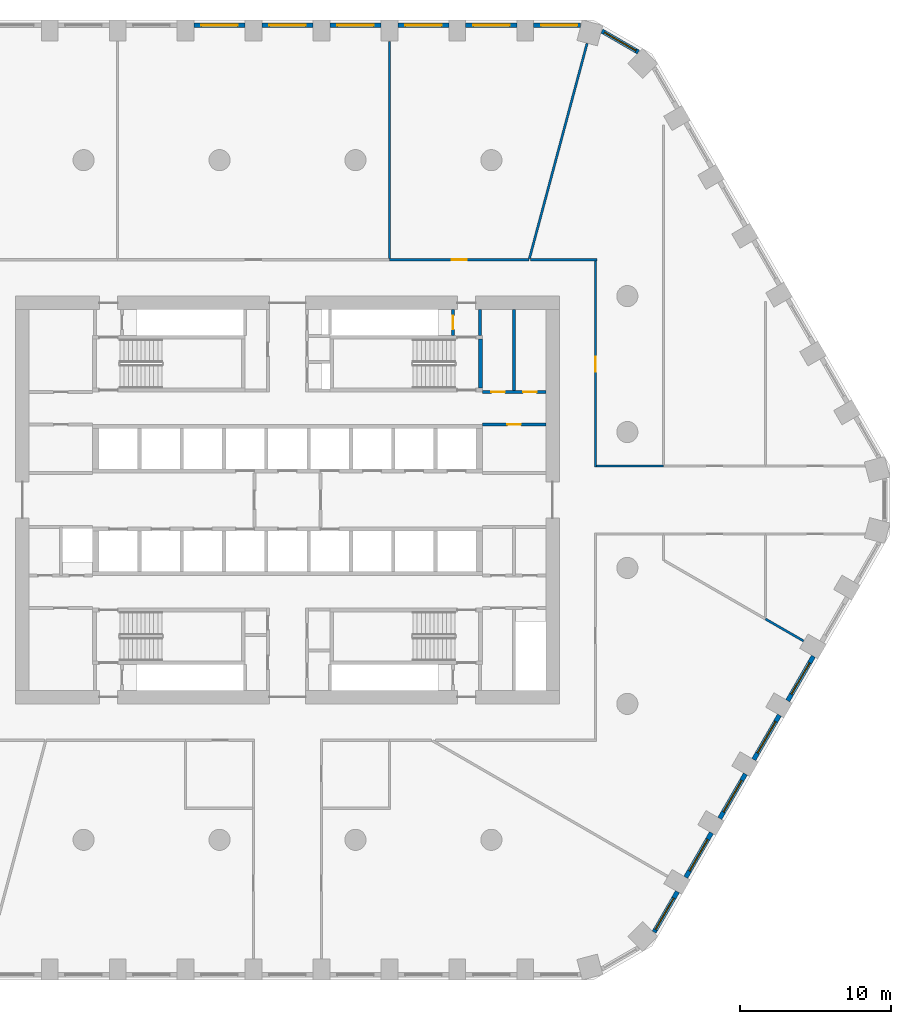
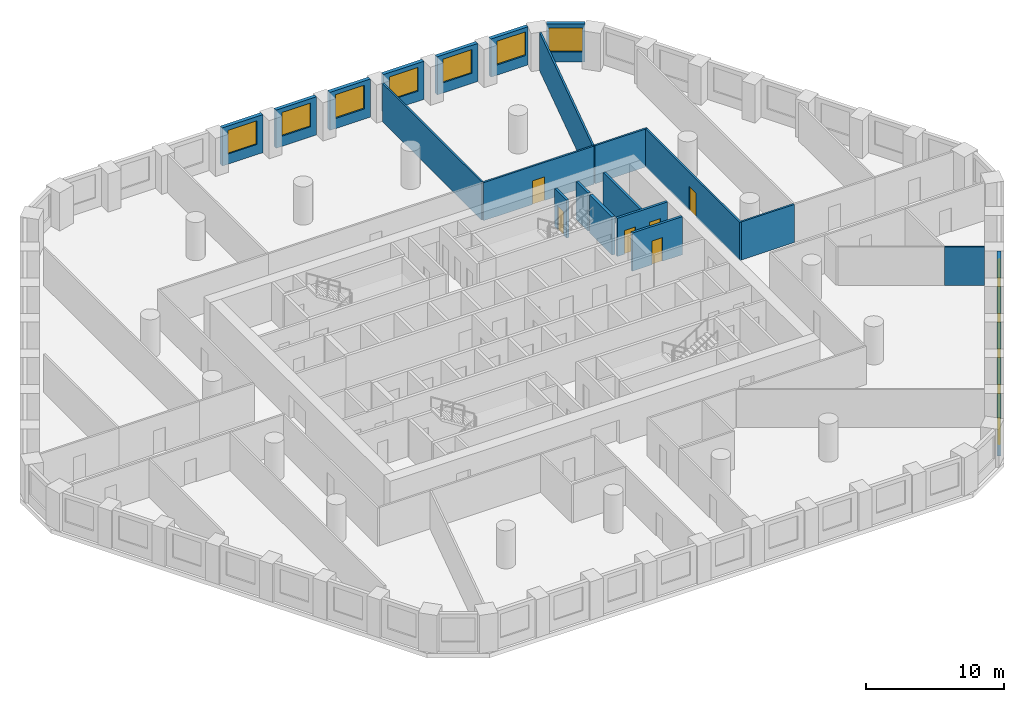
# One storey, part 7 of 10: 25 walls, 12 windows, 6 doors, 18 openings.
"""IFC4 building model written with IfcOpenShell, lengths in metres."""

from ifc_helpers import new_model, si_unit, direction, frame, frame_2d, origin, place, context, subcontext, project, spatial, rectangle, extrude, material, layer, layer_set, type_object, element, fill, save


model = new_model("IFC4")

# Units and contexts
model_context = context("Model", 3, precision=1e-05, world=origin(), true_north=direction((0.0, 1.0)))
body_context = subcontext(model_context, "Body", "Model", "MODEL_VIEW")
ifc_project = project(units=[si_unit("LENGTHUNIT", "METRE"), si_unit("AREAUNIT", "SQUARE_METRE"), si_unit("VOLUMEUNIT", "CUBIC_METRE"), si_unit("PLANEANGLEUNIT", "RADIAN"), si_unit("MASSUNIT", "GRAM", prefix="KILO")], contexts=[model_context])

# Site, building, storey
site_placement = place(None, origin())
site = spatial("IfcSite", under=ifc_project, at=site_placement, CompositionType="ELEMENT")
building_placement = place(site_placement, origin())
building = spatial("IfcBuilding", under=site, at=building_placement, Name="Dhurran Vertical Campus", CompositionType="ELEMENT")
storey_placement = place(building_placement, frame((0.0, 0.0, 72.89990234375)))
storey = spatial("IfcBuildingStorey", under=building, at=storey_placement, Name="L17", CompositionType="ELEMENT", Elevation=72.89990234375)

# Wall, opening, window
ifc_material_1 = material(Name="Precast concrete C50/60", Category="concrete")
ifc_layer_1 = layer(ifc_material_1, 0.300048828125)
ifc_layer_set_1 = layer_set([ifc_layer_1], Name="Precast concrete C50/60")
wall_type_1 = type_object("IfcWallType", Name="Precast spandrel wall 300", PredefinedType="SOLIDWALL", material=ifc_layer_set_1)
wall_1_placement = place(storey_placement, frame((24.2734375, -28.611083984375, 0.0), z_axis=(0.0, 0.0, 1.0), x_axis=(0.499995950774, 0.866027741594, 0.0)))
wall_1 = element("IfcWall", 1, at=wall_1_placement, inside=storey, type_object=wall_type_1, Name="EW1 L17.10", PredefinedType="SOLIDWALL", context=body_context, shape_type="SweptSolid", body=[
    extrude(rectangle(XDim=3.0908203125, YDim=0.300048828125, at=frame_2d((1.54541015625, 0.0))), origin(), (0.0, 0.0, 1.0), 3.375),
])
opening_1_placement = place(wall_1_placement, frame((0.191162109375, 0.0, 0.89990234375)))
opening_1 = element("IfcOpeningElement", 2, at=opening_1_placement, cuts=wall_1, Name="Opening WT1", PredefinedType="OPENING", context=body_context, shape_type="SweptSolid", body=[
    extrude(rectangle(XDim=2.39990234375, YDim=2.10009765625, at=frame_2d((1.199951171875, 1.050048828125))), frame((0.0, 0.159912109375, 0.0), z_axis=(0.0, -1.0, 0.0), x_axis=(1.0, 0.0, 0.0)), (0.0, 0.0, 1.0), 0.320068359375),
])
ifc_material_2 = material(Name="Aluminium frame with solar-control glass", Category="aluminium")
window_type = type_object("IfcWindowType", Name="Punched window 2400 x 2100", PartitioningType="SINGLE_PANEL", PredefinedType="WINDOW", material=ifc_material_2)
window_1_placement = place(opening_1_placement, origin())
window_1 = element("IfcWindow", 3, at=window_1_placement, inside=storey, type_object=window_type, Name="WT1 L17.10", OverallHeight=2.10009765625, OverallWidth=2.39990234375, PartitioningType="SINGLE_PANEL", PredefinedType="WINDOW", context=body_context, shape_type="SweptSolid", body=[
    extrude(rectangle(XDim=2.39990234375, YDim=2.10009765625, at=frame_2d((1.199951171875, 1.050048828125))), frame((0.0, 0.030029296875, 0.0), z_axis=(0.0, -1.0, 0.0), x_axis=(1.0, 0.0, 0.0)), (0.0, 0.0, 1.0), 0.06005859375),
])
fill(opening_1, window_1)

wall_2_placement = place(storey_placement, frame((26.369384765625, -24.98095703125, 0.0), z_axis=(0.0, 0.0, 1.0), x_axis=(0.499993955907, 0.866028893315, 0.0)))
wall_2 = element("IfcWall", 4, at=wall_2_placement, inside=storey, type_object=wall_type_1, Name="EW1 L17.11", PredefinedType="SOLIDWALL", context=body_context, shape_type="SweptSolid", body=[
    extrude(rectangle(XDim=3.39892578125, YDim=0.300048828125, at=frame_2d((1.699462890625, 0.0))), origin(), (0.0, 0.0, 1.0), 3.375),
])
opening_2_placement = place(wall_2_placement, frame((0.49951171875, 0.0, 0.89990234375)))
opening_2 = element("IfcOpeningElement", 5, at=opening_2_placement, cuts=wall_2, Name="Opening WT1", PredefinedType="OPENING", context=body_context, shape_type="SweptSolid", body=[
    extrude(rectangle(XDim=2.39990234375, YDim=2.10009765625, at=frame_2d((1.199951171875, 1.050048828125))), frame((0.0, 0.159912109375, 0.0), z_axis=(0.0, -1.0, 0.0), x_axis=(1.0, 0.0, 0.0)), (0.0, 0.0, 1.0), 0.320068359375),
])
window_2_placement = place(opening_2_placement, origin())
window_2 = element("IfcWindow", 6, at=window_2_placement, inside=storey, type_object=window_type, Name="WT1 L17.11", OverallHeight=2.10009765625, OverallWidth=2.39990234375, PartitioningType="SINGLE_PANEL", PredefinedType="WINDOW", context=body_context, shape_type="SweptSolid", body=[
    extrude(rectangle(XDim=2.39990234375, YDim=2.10009765625, at=frame_2d((1.199951171875, 1.050048828125))), frame((0.0, 0.030029296875, 0.0), z_axis=(0.0, -1.0, 0.0), x_axis=(1.0, 0.0, 0.0)), (0.0, 0.0, 1.0), 0.06005859375),
])
fill(opening_2, window_2)

wall_3_placement = place(storey_placement, frame((28.619384765625, -21.083740234375, 0.0), z_axis=(0.0, 0.0, 1.0), x_axis=(0.499993955907, 0.866028893315, 0.0)))
wall_3 = element("IfcWall", 7, at=wall_3_placement, inside=storey, type_object=wall_type_1, Name="EW1 L17.12", PredefinedType="SOLIDWALL", context=body_context, shape_type="SweptSolid", body=[
    extrude(rectangle(XDim=3.39892578125, YDim=0.300048828125, at=frame_2d((1.699462890625, 0.0))), origin(), (0.0, 0.0, 1.0), 3.375),
])
opening_3_placement = place(wall_3_placement, frame((0.49951171875, 0.0, 0.89990234375)))
opening_3 = element("IfcOpeningElement", 8, at=opening_3_placement, cuts=wall_3, Name="Opening WT1", PredefinedType="OPENING", context=body_context, shape_type="SweptSolid", body=[
    extrude(rectangle(XDim=2.39990234375, YDim=2.10009765625, at=frame_2d((1.199951171875, 1.050048828125))), frame((0.0, 0.159912109375, 0.0), z_axis=(0.0, -1.0, 0.0), x_axis=(1.0, 0.0, 0.0)), (0.0, 0.0, 1.0), 0.320068359375),
])
window_3_placement = place(opening_3_placement, origin())
window_3 = element("IfcWindow", 9, at=window_3_placement, inside=storey, type_object=window_type, Name="WT1 L17.12", OverallHeight=2.10009765625, OverallWidth=2.39990234375, PartitioningType="SINGLE_PANEL", PredefinedType="WINDOW", context=body_context, shape_type="SweptSolid", body=[
    extrude(rectangle(XDim=2.39990234375, YDim=2.10009765625, at=frame_2d((1.199951171875, 1.050048828125))), frame((0.0, 0.030029296875, 0.0), z_axis=(0.0, -1.0, 0.0), x_axis=(1.0, 0.0, 0.0)), (0.0, 0.0, 1.0), 0.06005859375),
])
fill(opening_3, window_3)

wall_4_placement = place(storey_placement, frame((30.869384765625, -17.186767578125, 0.0), z_axis=(0.0, 0.0, 1.0), x_axis=(0.499993955907, 0.866028893315, 0.0)))
wall_4 = element("IfcWall", 10, at=wall_4_placement, inside=storey, type_object=wall_type_1, Name="EW1 L17.13", PredefinedType="SOLIDWALL", context=body_context, shape_type="SweptSolid", body=[
    extrude(rectangle(XDim=3.39892578125, YDim=0.300048828125, at=frame_2d((1.699462890625, 0.0))), origin(), (0.0, 0.0, 1.0), 3.375),
])
opening_4_placement = place(wall_4_placement, frame((0.49951171875, 0.0, 0.89990234375)))
opening_4 = element("IfcOpeningElement", 11, at=opening_4_placement, cuts=wall_4, Name="Opening WT1", PredefinedType="OPENING", context=body_context, shape_type="SweptSolid", body=[
    extrude(rectangle(XDim=2.39990234375, YDim=2.10009765625, at=frame_2d((1.199951171875, 1.050048828125))), frame((0.0, 0.159912109375, 0.0), z_axis=(0.0, -1.0, 0.0), x_axis=(1.0, 0.0, 0.0)), (0.0, 0.0, 1.0), 0.320068359375),
])
window_4_placement = place(opening_4_placement, origin())
window_4 = element("IfcWindow", 12, at=window_4_placement, inside=storey, type_object=window_type, Name="WT1 L17.13", OverallHeight=2.10009765625, OverallWidth=2.39990234375, PartitioningType="SINGLE_PANEL", PredefinedType="WINDOW", context=body_context, shape_type="SweptSolid", body=[
    extrude(rectangle(XDim=2.39990234375, YDim=2.10009765625, at=frame_2d((1.199951171875, 1.050048828125))), frame((0.0, 0.030029296875, 0.0), z_axis=(0.0, -1.0, 0.0), x_axis=(1.0, 0.0, 0.0)), (0.0, 0.0, 1.0), 0.06005859375),
])
fill(opening_4, window_4)

wall_5_placement = place(storey_placement, frame((33.119384765625, -13.28955078125, 0.0), z_axis=(0.0, 0.0, 1.0), x_axis=(0.499993955907, 0.866028893315, 0.0)))
wall_5 = element("IfcWall", 13, at=wall_5_placement, inside=storey, type_object=wall_type_1, Name="EW1 L17.14", PredefinedType="SOLIDWALL", context=body_context, shape_type="SweptSolid", body=[
    extrude(rectangle(XDim=3.39892578125, YDim=0.300048828125, at=frame_2d((1.699462890625, 0.0))), origin(), (0.0, 0.0, 1.0), 3.375),
])
opening_5_placement = place(wall_5_placement, frame((0.49951171875, 0.0, 0.89990234375)))
opening_5 = element("IfcOpeningElement", 14, at=opening_5_placement, cuts=wall_5, Name="Opening WT1", PredefinedType="OPENING", context=body_context, shape_type="SweptSolid", body=[
    extrude(rectangle(XDim=2.39990234375, YDim=2.10009765625, at=frame_2d((1.199951171875, 1.050048828125))), frame((0.0, 0.159912109375, 0.0), z_axis=(0.0, -1.0, 0.0), x_axis=(1.0, 0.0, 0.0)), (0.0, 0.0, 1.0), 0.320068359375),
])
window_5_placement = place(opening_5_placement, origin())
window_5 = element("IfcWindow", 15, at=window_5_placement, inside=storey, type_object=window_type, Name="WT1 L17.14", OverallHeight=2.10009765625, OverallWidth=2.39990234375, PartitioningType="SINGLE_PANEL", PredefinedType="WINDOW", context=body_context, shape_type="SweptSolid", body=[
    extrude(rectangle(XDim=2.39990234375, YDim=2.10009765625, at=frame_2d((1.199951171875, 1.050048828125))), frame((0.0, 0.030029296875, 0.0), z_axis=(0.0, -1.0, 0.0), x_axis=(1.0, 0.0, 0.0)), (0.0, 0.0, 1.0), 0.06005859375),
])
fill(opening_5, window_5)

wall_6_placement = place(storey_placement, frame((23.228271484375, 29.656005859375, 0.0), z_axis=(0.0, 0.0, 1.0), x_axis=(-0.866020456713, 0.500008568482, 0.0)))
wall_6 = element("IfcWall", 16, at=wall_6_placement, inside=storey, type_object=wall_type_1, Name="EW1 L17.25", PredefinedType="SOLIDWALL", context=body_context, shape_type="SweptSolid", body=[
    extrude(rectangle(XDim=2.7822265625, YDim=0.300048828125, at=frame_2d((1.39111328125, 0.0))), origin(), (0.0, 0.0, 1.0), 3.375),
])
opening_6_placement = place(wall_6_placement, frame((0.191162109375, 0.0, 0.89990234375)))
opening_6 = element("IfcOpeningElement", 17, at=opening_6_placement, cuts=wall_6, Name="Opening WT1", PredefinedType="OPENING", context=body_context, shape_type="SweptSolid", body=[
    extrude(rectangle(XDim=2.39990234375, YDim=2.10009765625, at=frame_2d((1.199951171875, 1.050048828125))), frame((0.0, 0.159912109375, 0.0), z_axis=(0.0, -1.0, 0.0), x_axis=(1.0, 0.0, 0.0)), (0.0, 0.0, 1.0), 0.320068359375),
])
window_6_placement = place(opening_6_placement, origin())
window_6 = element("IfcWindow", 18, at=window_6_placement, inside=storey, type_object=window_type, Name="WT1 L17.25", OverallHeight=2.10009765625, OverallWidth=2.39990234375, PartitioningType="SINGLE_PANEL", PredefinedType="WINDOW", context=body_context, shape_type="SweptSolid", body=[
    extrude(rectangle(XDim=2.39990234375, YDim=2.10009765625, at=frame_2d((1.199951171875, 1.050048828125))), frame((0.0, 0.030029296875, 0.0), z_axis=(0.0, -1.0, 0.0), x_axis=(1.0, 0.0, 0.0)), (0.0, 0.0, 1.0), 0.06005859375),
])
fill(opening_6, window_6)

wall_7_placement = place(storey_placement, frame((19.39111328125, 31.4296875, 0.0), z_axis=(0.0, 0.0, 1.0), x_axis=(-1.0, 0.0, 0.0)))
wall_7 = element("IfcWall", 19, at=wall_7_placement, inside=storey, type_object=wall_type_1, Name="EW1 L17.26", PredefinedType="SOLIDWALL", context=body_context, shape_type="SweptSolid", body=[
    extrude(rectangle(XDim=3.090576171875, YDim=0.300048828125, at=frame_2d((1.54541015625, 0.0))), origin(), (0.0, 0.0, 1.0), 3.375),
])
opening_7_placement = place(wall_7_placement, frame((0.191162109375, 0.0, 0.89990234375)))
opening_7 = element("IfcOpeningElement", 20, at=opening_7_placement, cuts=wall_7, Name="Opening WT1", PredefinedType="OPENING", context=body_context, shape_type="SweptSolid", body=[
    extrude(rectangle(XDim=2.39990234375, YDim=2.10009765625, at=frame_2d((1.199951171875, 1.050048828125))), frame((0.0, 0.159912109375, 0.0), z_axis=(0.0, -1.0, 0.0), x_axis=(1.0, 0.0, 0.0)), (0.0, 0.0, 1.0), 0.320068359375),
])
window_7_placement = place(opening_7_placement, origin())
window_7 = element("IfcWindow", 21, at=window_7_placement, inside=storey, type_object=window_type, Name="WT1 L17.26", OverallHeight=2.10009765625, OverallWidth=2.39990234375, PartitioningType="SINGLE_PANEL", PredefinedType="WINDOW", context=body_context, shape_type="SweptSolid", body=[
    extrude(rectangle(XDim=2.39990234375, YDim=2.10009765625, at=frame_2d((1.199951171875, 1.050048828125))), frame((0.0, 0.030029296875, 0.0), z_axis=(0.0, -1.0, 0.0), x_axis=(1.0, 0.0, 0.0)), (0.0, 0.0, 1.0), 0.06005859375),
])
fill(opening_7, window_7)

wall_8_placement = place(storey_placement, frame((15.199462890625, 31.4296875, 0.0), z_axis=(0.0, 0.0, 1.0), x_axis=(-1.0, 0.0, 0.0)))
wall_8 = element("IfcWall", 22, at=wall_8_placement, inside=storey, type_object=wall_type_1, Name="EW1 L17.27", PredefinedType="SOLIDWALL", context=body_context, shape_type="SweptSolid", body=[
    extrude(rectangle(XDim=3.39892578125, YDim=0.300048828125, at=frame_2d((1.699462890625, 0.0))), origin(), (0.0, 0.0, 1.0), 3.375),
])
opening_8_placement = place(wall_8_placement, frame((0.49951171875, 0.0, 0.89990234375)))
opening_8 = element("IfcOpeningElement", 23, at=opening_8_placement, cuts=wall_8, Name="Opening WT1", PredefinedType="OPENING", context=body_context, shape_type="SweptSolid", body=[
    extrude(rectangle(XDim=2.39990234375, YDim=2.10009765625, at=frame_2d((1.199951171875, 1.050048828125))), frame((0.0, 0.159912109375, 0.0), z_axis=(0.0, -1.0, 0.0), x_axis=(1.0, 0.0, 0.0)), (0.0, 0.0, 1.0), 0.320068359375),
])
window_8_placement = place(opening_8_placement, origin())
window_8 = element("IfcWindow", 24, at=window_8_placement, inside=storey, type_object=window_type, Name="WT1 L17.27", OverallHeight=2.10009765625, OverallWidth=2.39990234375, PartitioningType="SINGLE_PANEL", PredefinedType="WINDOW", context=body_context, shape_type="SweptSolid", body=[
    extrude(rectangle(XDim=2.39990234375, YDim=2.10009765625, at=frame_2d((1.199951171875, 1.050048828125))), frame((0.0, 0.030029296875, 0.0), z_axis=(0.0, -1.0, 0.0), x_axis=(1.0, 0.0, 0.0)), (0.0, 0.0, 1.0), 0.06005859375),
])
fill(opening_8, window_8)

wall_9_placement = place(storey_placement, frame((10.699462890625, 31.4296875, 0.0), z_axis=(0.0, 0.0, 1.0), x_axis=(-1.0, 0.0, 0.0)))
wall_9 = element("IfcWall", 25, at=wall_9_placement, inside=storey, type_object=wall_type_1, Name="EW1 L17.28", PredefinedType="SOLIDWALL", context=body_context, shape_type="SweptSolid", body=[
    extrude(rectangle(XDim=3.39892578125, YDim=0.300048828125, at=frame_2d((1.699462890625, 0.0))), origin(), (0.0, 0.0, 1.0), 3.375),
])
opening_9_placement = place(wall_9_placement, frame((0.49951171875, 0.0, 0.89990234375)))
opening_9 = element("IfcOpeningElement", 26, at=opening_9_placement, cuts=wall_9, Name="Opening WT1", PredefinedType="OPENING", context=body_context, shape_type="SweptSolid", body=[
    extrude(rectangle(XDim=2.39990234375, YDim=2.10009765625, at=frame_2d((1.199951171875, 1.050048828125))), frame((0.0, 0.159912109375, 0.0), z_axis=(0.0, -1.0, 0.0), x_axis=(1.0, 0.0, 0.0)), (0.0, 0.0, 1.0), 0.320068359375),
])
window_9_placement = place(opening_9_placement, origin())
window_9 = element("IfcWindow", 27, at=window_9_placement, inside=storey, type_object=window_type, Name="WT1 L17.28", OverallHeight=2.10009765625, OverallWidth=2.39990234375, PartitioningType="SINGLE_PANEL", PredefinedType="WINDOW", context=body_context, shape_type="SweptSolid", body=[
    extrude(rectangle(XDim=2.39990234375, YDim=2.10009765625, at=frame_2d((1.199951171875, 1.050048828125))), frame((0.0, 0.030029296875, 0.0), z_axis=(0.0, -1.0, 0.0), x_axis=(1.0, 0.0, 0.0)), (0.0, 0.0, 1.0), 0.06005859375),
])
fill(opening_9, window_9)

wall_10_placement = place(storey_placement, frame((6.199462890625, 31.4296875, 0.0), z_axis=(0.0, 0.0, 1.0), x_axis=(-1.0, 0.0, 0.0)))
wall_10 = element("IfcWall", 28, at=wall_10_placement, inside=storey, type_object=wall_type_1, Name="EW1 L17.29", PredefinedType="SOLIDWALL", context=body_context, shape_type="SweptSolid", body=[
    extrude(rectangle(XDim=3.39892578125, YDim=0.300048828125, at=frame_2d((1.699462890625, 0.0))), origin(), (0.0, 0.0, 1.0), 3.375),
])
opening_10_placement = place(wall_10_placement, frame((0.49951171875, 0.0, 0.89990234375)))
opening_10 = element("IfcOpeningElement", 29, at=opening_10_placement, cuts=wall_10, Name="Opening WT1", PredefinedType="OPENING", context=body_context, shape_type="SweptSolid", body=[
    extrude(rectangle(XDim=2.39990234375, YDim=2.10009765625, at=frame_2d((1.199951171875, 1.050048828125))), frame((0.0, 0.159912109375, 0.0), z_axis=(0.0, -1.0, 0.0), x_axis=(1.0, 0.0, 0.0)), (0.0, 0.0, 1.0), 0.320068359375),
])
window_10_placement = place(opening_10_placement, origin())
window_10 = element("IfcWindow", 30, at=window_10_placement, inside=storey, type_object=window_type, Name="WT1 L17.29", OverallHeight=2.10009765625, OverallWidth=2.39990234375, PartitioningType="SINGLE_PANEL", PredefinedType="WINDOW", context=body_context, shape_type="SweptSolid", body=[
    extrude(rectangle(XDim=2.39990234375, YDim=2.10009765625, at=frame_2d((1.199951171875, 1.050048828125))), frame((0.0, 0.030029296875, 0.0), z_axis=(0.0, -1.0, 0.0), x_axis=(1.0, 0.0, 0.0)), (0.0, 0.0, 1.0), 0.06005859375),
])
fill(opening_10, window_10)

wall_11_placement = place(storey_placement, frame((1.699462890625, 31.4296875, 0.0), z_axis=(0.0, 0.0, 1.0), x_axis=(-1.0, 0.0, 0.0)))
wall_11 = element("IfcWall", 31, at=wall_11_placement, inside=storey, type_object=wall_type_1, Name="EW1 L17.30", PredefinedType="SOLIDWALL", context=body_context, shape_type="SweptSolid", body=[
    extrude(rectangle(XDim=3.39892578125, YDim=0.300048828125, at=frame_2d((1.699462890625, 0.0))), origin(), (0.0, 0.0, 1.0), 3.375),
])
opening_11_placement = place(wall_11_placement, frame((0.49951171875, 0.0, 0.89990234375)))
opening_11 = element("IfcOpeningElement", 32, at=opening_11_placement, cuts=wall_11, Name="Opening WT1", PredefinedType="OPENING", context=body_context, shape_type="SweptSolid", body=[
    extrude(rectangle(XDim=2.39990234375, YDim=2.10009765625, at=frame_2d((1.199951171875, 1.050048828125))), frame((0.0, 0.159912109375, 0.0), z_axis=(0.0, -1.0, 0.0), x_axis=(1.0, 0.0, 0.0)), (0.0, 0.0, 1.0), 0.320068359375),
])
window_11_placement = place(opening_11_placement, origin())
window_11 = element("IfcWindow", 33, at=window_11_placement, inside=storey, type_object=window_type, Name="WT1 L17.30", OverallHeight=2.10009765625, OverallWidth=2.39990234375, PartitioningType="SINGLE_PANEL", PredefinedType="WINDOW", context=body_context, shape_type="SweptSolid", body=[
    extrude(rectangle(XDim=2.39990234375, YDim=2.10009765625, at=frame_2d((1.199951171875, 1.050048828125))), frame((0.0, 0.030029296875, 0.0), z_axis=(0.0, -1.0, 0.0), x_axis=(1.0, 0.0, 0.0)), (0.0, 0.0, 1.0), 0.06005859375),
])
fill(opening_11, window_11)

wall_12_placement = place(storey_placement, frame((-2.800537109375, 31.4296875, 0.0), z_axis=(0.0, 0.0, 1.0), x_axis=(-1.0, 0.0, 0.0)))
wall_12 = element("IfcWall", 34, at=wall_12_placement, inside=storey, type_object=wall_type_1, Name="EW1 L17.31", PredefinedType="SOLIDWALL", context=body_context, shape_type="SweptSolid", body=[
    extrude(rectangle(XDim=3.39892578125, YDim=0.300048828125, at=frame_2d((1.699462890625, 0.0))), origin(), (0.0, 0.0, 1.0), 3.375),
])
opening_12_placement = place(wall_12_placement, frame((0.49951171875, 0.0, 0.89990234375)))
opening_12 = element("IfcOpeningElement", 35, at=opening_12_placement, cuts=wall_12, Name="Opening WT1", PredefinedType="OPENING", context=body_context, shape_type="SweptSolid", body=[
    extrude(rectangle(XDim=2.39990234375, YDim=2.10009765625, at=frame_2d((1.199951171875, 1.050048828125))), frame((0.0, 0.159912109375, 0.0), z_axis=(0.0, -1.0, 0.0), x_axis=(1.0, 0.0, 0.0)), (0.0, 0.0, 1.0), 0.320068359375),
])
window_12_placement = place(opening_12_placement, origin())
window_12 = element("IfcWindow", 36, at=window_12_placement, inside=storey, type_object=window_type, Name="WT1 L17.31", OverallHeight=2.10009765625, OverallWidth=2.39990234375, PartitioningType="SINGLE_PANEL", PredefinedType="WINDOW", context=body_context, shape_type="SweptSolid", body=[
    extrude(rectangle(XDim=2.39990234375, YDim=2.10009765625, at=frame_2d((1.199951171875, 1.050048828125))), frame((0.0, 0.030029296875, 0.0), z_axis=(0.0, -1.0, 0.0), x_axis=(1.0, 0.0, 0.0)), (0.0, 0.0, 1.0), 0.06005859375),
])
fill(opening_12, window_12)

# Wall
ifc_material_3 = material(Name="Fire-rated masonry blockwork", Category="masonry")
ifc_layer_2 = layer(ifc_material_3, 0.199951171875)
ifc_layer_set_2 = layer_set([ifc_layer_2], Name="Fire-rated masonry blockwork")
wall_type_2 = type_object("IfcWallType", Name="co-FIRE-PARTITION-200", PredefinedType="PARTITIONING", material=ifc_layer_set_2)
wall_13_placement = place(storey_placement, frame((12.75, 10.89990234375, 0.0), z_axis=(0.0, 0.0, 1.0), x_axis=(0.0, 1.0, 0.0)))
element("IfcWall", 37, at=wall_13_placement, inside=storey, type_object=wall_type_2, Name="Core partition pass-ST2-o L17", PredefinedType="PARTITIONING", context=body_context, shape_type="SweptSolid", body=[
    extrude(rectangle(XDim=1.7001953125, YDim=0.199951171875, at=frame_2d((0.85009765625, 0.0))), origin(), (0.0, 0.0, 1.0), 3.375),
])

# Wall, opening, door
wall_14_placement = place(storey_placement, frame((10.949951171875, 10.89990234375, 0.0), z_axis=(0.0, 0.0, 1.0), x_axis=(0.0, 1.0, 0.0)))
wall_14 = element("IfcWall", 38, at=wall_14_placement, inside=storey, type_object=wall_type_2, Name="Core partition pass-ST2-i L17", PredefinedType="PARTITIONING", context=body_context, shape_type="SweptSolid", body=[
    extrude(rectangle(XDim=1.7001953125, YDim=0.199951171875, at=frame_2d((0.85009765625, 0.0))), origin(), (0.0, 0.0, 1.0), 3.375),
])
opening_13_placement = place(wall_14_placement, frame((0.39990234375, 0.0, 0.0)))
opening_13 = element("IfcOpeningElement", 39, at=opening_13_placement, cuts=wall_14, Name="Opening T04-C10", PredefinedType="OPENING", context=body_context, shape_type="SweptSolid", body=[
    extrude(rectangle(XDim=0.89990234375, YDim=2.10009765625, at=frame_2d((0.449951171875, 1.050048828125))), frame((0.0, 0.10986328125, 0.0), z_axis=(0.0, -1.0, 0.0), x_axis=(1.0, 0.0, 0.0)), (0.0, 0.0, 1.0), 0.219970703125),
])
ifc_material_4 = material(Name="Fire-rated timber door set", Category="wood")
door_type_1 = type_object("IfcDoorType", Name="co-D-ROOM 900x2100", OperationType="SINGLE_SWING_LEFT", PredefinedType="DOOR", material=ifc_material_4)
door_1_placement = place(opening_13_placement, origin())
door_1 = element("IfcDoor", 40, at=door_1_placement, inside=storey, type_object=door_type_1, Name="Riser room door L17", OperationType="SINGLE_SWING_LEFT", OverallHeight=2.10009765625, OverallWidth=0.89990234375, PredefinedType="DOOR", context=body_context, shape_type="SweptSolid", body=[
    extrude(rectangle(XDim=0.89990234375, YDim=2.10009765625, at=frame_2d((0.449951171875, 1.050048828125))), frame((0.0, 0.02490234375, 0.0), z_axis=(0.0, -1.0, 0.0), x_axis=(1.0, 0.0, 0.0)), (0.0, 0.0, 1.0), 0.050048828125),
])
fill(opening_13, door_1)

# Wall
wall_15_placement = place(storey_placement, frame((15.0, 7.14990234375, 0.0), z_axis=(0.0, 0.0, 1.0), x_axis=(0.0, 1.0, 0.0)))
element("IfcWall", 41, at=wall_15_placement, inside=storey, type_object=wall_type_2, Name="Core partition en-NE-cut0 L17", PredefinedType="PARTITIONING", context=body_context, shape_type="SweptSolid", body=[
    extrude(rectangle(XDim=5.4501953125, YDim=0.199951171875, at=frame_2d((2.72509765625, 0.0))), origin(), (0.0, 0.0, 1.0), 3.375),
])

# Wall, openings, doors
wall_16_placement = place(storey_placement, frame((12.89990234375, 7.14990234375, 0.0), z_axis=(0.0, 0.0, 1.0), x_axis=(1.0, 0.0, 0.0)))
wall_16 = element("IfcWall", 42, at=wall_16_placement, inside=storey, type_object=wall_type_2, Name="Core partition en-NE-w L17", PredefinedType="PARTITIONING", context=body_context, shape_type="SweptSolid", body=[
    extrude(rectangle(XDim=4.2001953125, YDim=0.199951171875, at=frame_2d((2.10009765625, 0.0))), origin(), (0.0, 0.0, 1.0), 3.375),
])
opening_14_placement = place(wall_16_placement, frame((0.60009765625, 0.0, 0.0)))
opening_14 = element("IfcOpeningElement", 43, at=opening_14_placement, cuts=wall_16, Name="Opening T04-C15", PredefinedType="OPENING", context=body_context, shape_type="SweptSolid", body=[
    extrude(rectangle(XDim=0.89990234375, YDim=2.10009765625, at=frame_2d((0.449951171875, 1.050048828125))), frame((0.0, 0.10986328125, 0.0), z_axis=(0.0, -1.0, 0.0), x_axis=(1.0, 0.0, 0.0)), (0.0, 0.0, 1.0), 0.219970703125),
])
opening_15_placement = place(wall_16_placement, frame((2.699951171875, 0.0, 0.0)))
opening_15 = element("IfcOpeningElement", 44, at=opening_15_placement, cuts=wall_16, Name="Opening T04-C16", PredefinedType="OPENING", context=body_context, shape_type="SweptSolid", body=[
    extrude(rectangle(XDim=0.89990234375, YDim=2.10009765625, at=frame_2d((0.449951171875, 1.050048828125))), frame((0.0, 0.10986328125, 0.0), z_axis=(0.0, -1.0, 0.0), x_axis=(1.0, 0.0, 0.0)), (0.0, 0.0, 1.0), 0.219970703125),
])
door_2_placement = place(opening_14_placement, origin())
door_2 = element("IfcDoor", 45, at=door_2_placement, inside=storey, type_object=door_type_1, Name="Pantry door L17", OperationType="SINGLE_SWING_LEFT", OverallHeight=2.10009765625, OverallWidth=0.89990234375, PredefinedType="DOOR", context=body_context, shape_type="SweptSolid", body=[
    extrude(rectangle(XDim=0.89990234375, YDim=2.10009765625, at=frame_2d((0.449951171875, 1.050048828125))), frame((0.0, 0.02490234375, 0.0), z_axis=(0.0, -1.0, 0.0), x_axis=(1.0, 0.0, 0.0)), (0.0, 0.0, 1.0), 0.050048828125),
])
fill(opening_14, door_2)
door_3_placement = place(opening_15_placement, origin())
door_3 = element("IfcDoor", 46, at=door_3_placement, inside=storey, type_object=door_type_1, Name="Cleaner's store door L17", OperationType="SINGLE_SWING_LEFT", OverallHeight=2.10009765625, OverallWidth=0.89990234375, PredefinedType="DOOR", context=body_context, shape_type="SweptSolid", body=[
    extrude(rectangle(XDim=0.89990234375, YDim=2.10009765625, at=frame_2d((0.449951171875, 1.050048828125))), frame((0.0, 0.02490234375, 0.0), z_axis=(0.0, -1.0, 0.0), x_axis=(1.0, 0.0, 0.0)), (0.0, 0.0, 1.0), 0.050048828125),
])
fill(opening_15, door_3)

# Wall, opening, door
wall_17_placement = place(storey_placement, frame((12.89990234375, 5.0, 0.0), z_axis=(0.0, 0.0, 1.0), x_axis=(1.0, 0.0, 0.0)))
wall_17 = element("IfcWall", 47, at=wall_17_placement, inside=storey, type_object=wall_type_2, Name="Core partition es-NE-w L17", PredefinedType="PARTITIONING", context=body_context, shape_type="SweptSolid", body=[
    extrude(rectangle(XDim=4.2001953125, YDim=0.199951171875, at=frame_2d((2.10009765625, 0.0))), origin(), (0.0, 0.0, 1.0), 3.375),
])
opening_16_placement = place(wall_17_placement, frame((1.64990234375, 0.0, 0.0)))
opening_16 = element("IfcOpeningElement", 48, at=opening_16_placement, cuts=wall_17, Name="Opening T04-C17", PredefinedType="OPENING", context=body_context, shape_type="SweptSolid", body=[
    extrude(rectangle(XDim=0.89990234375, YDim=2.10009765625, at=frame_2d((0.449951171875, 1.050048828125))), frame((0.0, 0.10986328125, 0.0), z_axis=(0.0, -1.0, 0.0), x_axis=(1.0, 0.0, 0.0)), (0.0, 0.0, 1.0), 0.219970703125),
])
door_4_placement = place(opening_16_placement, origin())
door_4 = element("IfcDoor", 49, at=door_4_placement, inside=storey, type_object=door_type_1, Name="Print room door L17", OperationType="SINGLE_SWING_LEFT", OverallHeight=2.10009765625, OverallWidth=0.89990234375, PredefinedType="DOOR", context=body_context, shape_type="SweptSolid", body=[
    extrude(rectangle(XDim=0.89990234375, YDim=2.10009765625, at=frame_2d((0.449951171875, 1.050048828125))), frame((0.0, 0.02490234375, 0.0), z_axis=(0.0, -1.0, 0.0), x_axis=(1.0, 0.0, 0.0)), (0.0, 0.0, 1.0), 0.050048828125),
])
fill(opening_16, door_4)

# Wall
ifc_material_5 = material(Name="Concrete C40/50", Category="concrete")
ifc_layer_3 = layer(ifc_material_5, 0.25)
ifc_layer_set_3 = layer_set([ifc_layer_3], Name="Concrete C40/50")
wall_type_3 = type_object("IfcWallType", Name="co-STAIR-WALL-250", PredefinedType="SHEAR", material=ifc_layer_set_3)
wall_18_placement = place(storey_placement, frame((12.77490234375, 7.39990234375, 0.0), z_axis=(0.0, 0.0, 1.0), x_axis=(0.0, 1.0, 0.0)))
element("IfcWall", 50, at=wall_18_placement, inside=storey, type_object=wall_type_3, Name="Stair ST2 enclosure wall L17", PredefinedType="SHEAR", context=body_context, shape_type="SweptSolid", body=[
    extrude(rectangle(XDim=3.25, YDim=0.25, at=frame_2d((1.625, 0.0))), origin(), (0.0, 0.0, 1.0), 3.375),
])

# Wall, opening, door
ifc_material_6 = material(Name="Gypsum board corridor wall on steel studs", Category="steel")
ifc_layer_4 = layer(ifc_material_6, 0.14990234375)
ifc_layer_set_4 = layer_set([ifc_layer_4], Name="Gypsum board corridor wall on steel studs")
wall_type_4 = type_object("IfcWallType", Name="fl-CW-150 corridor wall", PredefinedType="PARTITIONING", material=ifc_layer_set_4)
wall_19_placement = place(storey_placement, frame((15.9951171875, 15.89990234375, 0.0), z_axis=(0.0, 0.0, 1.0), x_axis=(-1.0, 0.0, 0.0)))
wall_19 = element("IfcWall", 51, at=wall_19_placement, inside=storey, type_object=wall_type_4, Name="Partition 17-31", PredefinedType="PARTITIONING", context=body_context, shape_type="SweptSolid", body=[
    extrude(rectangle(XDim=9.2451171875, YDim=0.14990234375, at=frame_2d((4.62255859375, 0.0))), origin(), (0.0, 0.0, 1.0), 3.375),
])
opening_17_placement = place(wall_19_placement, frame((4.12255859375, 0.0, 0.0)))
opening_17 = element("IfcOpeningElement", 52, at=opening_17_placement, cuts=wall_19, Name="Opening T04.12", PredefinedType="OPENING", context=body_context, shape_type="SweptSolid", body=[
    extrude(rectangle(XDim=1.0, YDim=2.10009765625, at=frame_2d((0.5, 1.050048828125))), frame((0.0, 0.0849609375, 0.0), z_axis=(0.0, -1.0, 0.0), x_axis=(1.0, 0.0, 0.0)), (0.0, 0.0, 1.0), 0.169921875),
])
ifc_material_7 = material(Name="Solid-core timber door set, fire-rated", Category="wood")
door_type_2 = type_object("IfcDoorType", Name="fl-D-1000x2100", OperationType="SINGLE_SWING_LEFT", PredefinedType="DOOR", material=ifc_material_7)
door_5_placement = place(opening_17_placement, origin())
door_5 = element("IfcDoor", 53, at=door_5_placement, inside=storey, type_object=door_type_2, Name="Door 17.12", OperationType="SINGLE_SWING_RIGHT", OverallHeight=2.10009765625, OverallWidth=1.0, PredefinedType="DOOR", context=body_context, shape_type="SweptSolid", body=[
    extrude(rectangle(XDim=1.0, YDim=2.10009765625, at=frame_2d((0.5, 1.050048828125))), frame((0.0, 0.02490234375, 0.0), z_axis=(0.0, -1.0, 0.0), x_axis=(1.0, 0.0, 0.0)), (0.0, 0.0, 1.0), 0.050048828125),
])
fill(opening_17, door_5)

# Wall
wall_20_placement = place(storey_placement, frame((20.47509765625, 15.89990234375, 0.0), z_axis=(0.0, 0.0, 1.0), x_axis=(-1.0, 0.0, 0.0)))
element("IfcWall", 54, at=wall_20_placement, inside=storey, type_object=wall_type_4, Name="Partition 17-35", PredefinedType="PARTITIONING", context=body_context, shape_type="SweptSolid", body=[
    extrude(rectangle(XDim=4.385009765625, YDim=0.14990234375, at=frame_2d((2.1923828125, 0.0))), origin(), (0.0, 0.0, 1.0), 3.375),
])

# Wall, opening, door
wall_21_placement = place(storey_placement, frame((20.39990234375, 2.175048828125, 0.0), z_axis=(0.0, 0.0, 1.0), x_axis=(0.0, 1.0, 0.0)))
wall_21 = element("IfcWall", 55, at=wall_21_placement, inside=storey, type_object=wall_type_4, Name="Partition 17-38", PredefinedType="PARTITIONING", context=body_context, shape_type="SweptSolid", body=[
    extrude(rectangle(XDim=13.64990234375, YDim=0.14990234375, at=frame_2d((6.824951171875, 0.0))), origin(), (0.0, 0.0, 1.0), 3.375),
])
opening_18_placement = place(wall_21_placement, frame((6.324951171875, 0.0, 0.0)))
opening_18 = element("IfcOpeningElement", 56, at=opening_18_placement, cuts=wall_21, Name="Opening T04.13", PredefinedType="OPENING", context=body_context, shape_type="SweptSolid", body=[
    extrude(rectangle(XDim=1.0, YDim=2.10009765625, at=frame_2d((0.5, 1.050048828125))), frame((0.0, 0.0849609375, 0.0), z_axis=(0.0, -1.0, 0.0), x_axis=(1.0, 0.0, 0.0)), (0.0, 0.0, 1.0), 0.169921875),
])
door_6_placement = place(opening_18_placement, origin())
door_6 = element("IfcDoor", 57, at=door_6_placement, inside=storey, type_object=door_type_2, Name="Door 17.13", OperationType="SINGLE_SWING_LEFT", OverallHeight=2.10009765625, OverallWidth=1.0, PredefinedType="DOOR", context=body_context, shape_type="SweptSolid", body=[
    extrude(rectangle(XDim=1.0, YDim=2.10009765625, at=frame_2d((0.5, 1.050048828125))), frame((0.0, 0.02490234375, 0.0), z_axis=(0.0, -1.0, 0.0), x_axis=(1.0, 0.0, 0.0)), (0.0, 0.0, 1.0), 0.050048828125),
])
fill(opening_18, door_6)

# Walls
wall_22_placement = place(storey_placement, frame((20.47509765625, 2.25, 0.0), z_axis=(0.0, 0.0, 1.0), x_axis=(1.0, 0.0, 0.0)))
element("IfcWall", 58, at=wall_22_placement, inside=storey, type_object=wall_type_4, Name="Partition 17-39", PredefinedType="PARTITIONING", context=body_context, shape_type="SweptSolid", body=[
    extrude(rectangle(XDim=4.4248046875, YDim=0.14990234375, at=frame_2d((2.21240234375, 0.0))), origin(), (0.0, 0.0, 1.0), 3.375),
])
ifc_material_8 = material(Name="Gypsum board partition on steel studs", Category="steel")
ifc_layer_5 = layer(ifc_material_8, 0.14990234375)
ifc_layer_set_5 = layer_set([ifc_layer_5], Name="Gypsum board partition on steel studs")
wall_type_5 = type_object("IfcWallType", Name="fl-PW-150 fixed partition", PredefinedType="PARTITIONING", material=ifc_layer_set_5)
wall_23_placement = place(storey_placement, frame((6.75, 30.35986328125, 0.0), z_axis=(0.0, 0.0, 1.0), x_axis=(0.0, -1.0, 0.0)))
element("IfcWall", 59, at=wall_23_placement, inside=storey, type_object=wall_type_5, Name="Partition 17-30", PredefinedType="PARTITIONING", context=body_context, shape_type="SweptSolid", body=[
    extrude(rectangle(XDim=14.384765625, YDim=0.14990234375, at=frame_2d((7.1923828125, 0.0))), origin(), (0.0, 0.0, 1.0), 3.375),
])
wall_24_placement = place(storey_placement, frame((19.834228515625, 30.22705078125, 0.0), z_axis=(0.0, 0.0, 1.0), x_axis=(-0.258838346818, -0.965920654203, 0.0)))
element("IfcWall", 60, at=wall_24_placement, inside=storey, type_object=wall_type_5, Name="Partition 17-34", PredefinedType="PARTITIONING", context=body_context, shape_type="SweptSolid", body=[
    extrude(rectangle(XDim=14.757568359375, YDim=0.14990234375, at=frame_2d((7.37890625, 0.0))), origin(), (0.0, 0.0, 1.0), 3.375),
])
wall_25_placement = place(storey_placement, frame((31.64990234375, -7.881103515625, 0.0), z_axis=(0.0, 0.0, 1.0), x_axis=(0.866063904005, -0.499933309731, 0.0)))
element("IfcWall", 61, at=wall_25_placement, inside=storey, type_object=wall_type_5, Name="Partition 17-46", PredefinedType="PARTITIONING", context=body_context, shape_type="SweptSolid", body=[
    extrude(rectangle(XDim=2.90673828125, YDim=0.14990234375, at=frame_2d((1.453369140625, 0.0))), origin(), (0.0, 0.0, 1.0), 3.375),
])

save(model, "model.ifc")
